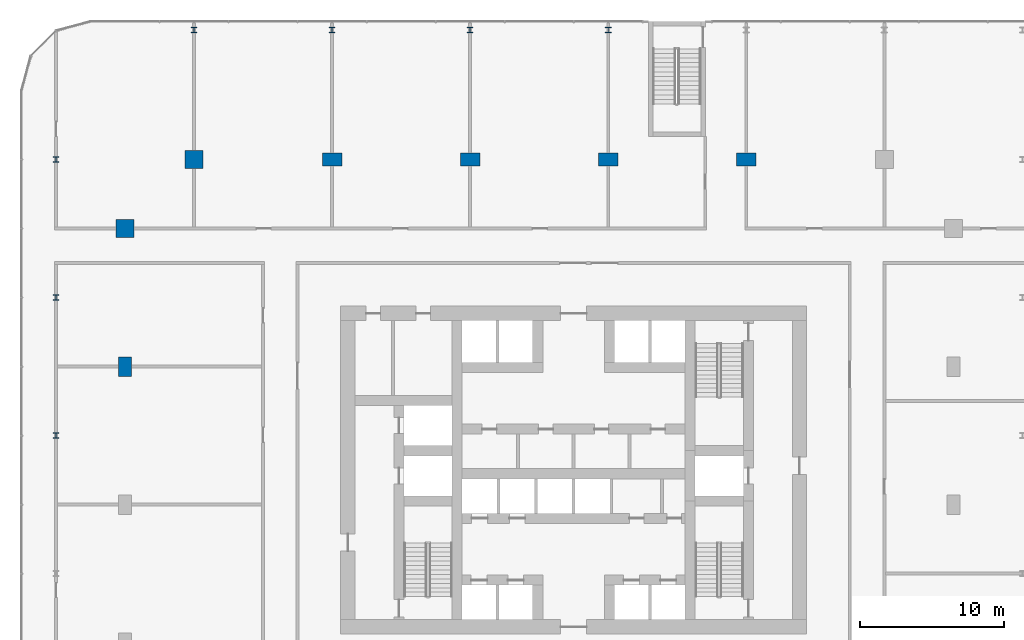
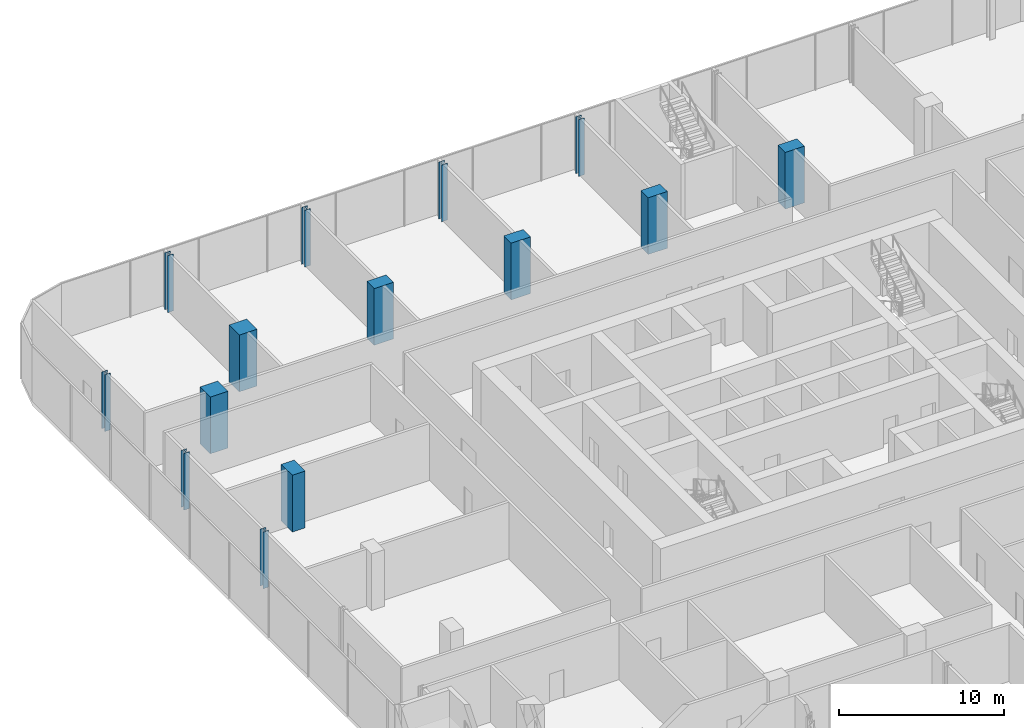
# One storey, part 4 of 43: 14 columns.
"""IFC4 building model written with IfcOpenShell, lengths in metres."""

from ifc_helpers import new_model, si_unit, direction, frame, origin, origin_2d, place, context, subcontext, project, spatial, rectangle, i_section, extrude, material, material_profile, profile_set, type_object, element, save


model = new_model("IFC4")

# Units and contexts
model_context = context("Model", 3, precision=1e-05, world=origin(), true_north=direction((0.0, 1.0)))
body_context = subcontext(model_context, "Body", "Model", "MODEL_VIEW")
ifc_project = project(units=[si_unit("LENGTHUNIT", "METRE"), si_unit("AREAUNIT", "SQUARE_METRE"), si_unit("VOLUMEUNIT", "CUBIC_METRE"), si_unit("PLANEANGLEUNIT", "RADIAN"), si_unit("MASSUNIT", "GRAM", prefix="KILO")], contexts=[model_context])

# Site, building, storey
site_placement = place(None, origin())
site = spatial("IfcSite", under=ifc_project, at=site_placement, CompositionType="ELEMENT")
building_placement = place(site_placement, origin())
building = spatial("IfcBuilding", under=site, at=building_placement, Name="Madar Terraces", CompositionType="ELEMENT")
storey_placement = place(building_placement, frame((0.0, 0.0, 10.5)))
storey = spatial("IfcBuildingStorey", under=building, at=storey_placement, Name="L02", CompositionType="ELEMENT", Elevation=10.5)

# Columns
ifc_material_1 = material(Name="Concrete C80/95", Category="concrete")
ifc_material_profile_1 = material_profile(ifc_material_1, rectangle(XDim=1.35009765625, YDim=0.89990234375, at=origin_2d()), Name="CC1 RC 1350x900")
ifc_profile_set_1 = profile_set([ifc_material_profile_1], Name="Concrete C80/95")
column_type_1 = type_object("IfcColumnType", Name="CC1 RC 1350x900", PredefinedType="COLUMN", material=ifc_profile_set_1)
for number, where, z_axis, x_axis, name in (
    (1, (43.199951171875, 48.0, 0.0), (0.0, 0.0, 1.0), (1.0, 0.0, 0.0), "Perimeter column N2"),
    (2, (33.60009765625, 48.0, 0.0), (0.0, 0.0, 1.0), (1.0, 0.0, 0.0), "Perimeter column N3"),
    (3, (24.0, 48.0, 0.0), (0.0, 0.0, 1.0), (1.0, 0.0, 0.0), "Perimeter column N4"),
    (4, (14.39990234375, 48.0, 0.0), (0.0, 0.0, 1.0), (1.0, 0.0, 0.0), "Perimeter column N5"),
    (5, (0.0, 33.60009765625, 0.0), (0.0, 0.0, 1.0), (0.0, 1.0, 0.0), "Perimeter column W2"),
):
    element("IfcColumn", number, at=place(storey_placement, frame(where, z_axis=z_axis, x_axis=x_axis)), inside=storey, type_object=column_type_1, Name=name, PredefinedType="COLUMN", context=body_context, shape_type="SweptSolid", body=[
        extrude(rectangle(XDim=1.35009765625, YDim=0.89990234375, at=origin_2d()), origin(), (0.0, 0.0, 1.0), 4.199951171875),
    ])
ifc_material_2 = material(Name="Concrete C80/95", Category="concrete")
ifc_material_profile_2 = material_profile(ifc_material_2, rectangle(XDim=1.25, YDim=1.25, at=origin_2d()), Name="KC1 RC 1250x1250")
ifc_profile_set_2 = profile_set([ifc_material_profile_2], Name="Concrete C80/95")
column_type_2 = type_object("IfcColumnType", Name="KC1 RC 1250x1250", PredefinedType="COLUMN", material=ifc_profile_set_2)
for number, where, z_axis, x_axis, name in (
    (6, (4.800048828125, 48.0, 0.0), (0.0, 0.0, 1.0), (1.0, 0.0, 0.0), "Perimeter column N6"),
    (7, (0.0, 43.199951171875, 0.0), (0.0, 0.0, 1.0), (1.0, 0.0, 0.0), "Perimeter column W1"),
):
    element("IfcColumn", number, at=place(storey_placement, frame(where, z_axis=z_axis, x_axis=x_axis)), inside=storey, type_object=column_type_2, Name=name, PredefinedType="COLUMN", context=body_context, shape_type="SweptSolid", body=[
        extrude(rectangle(XDim=1.25, YDim=1.25, at=origin_2d()), origin(), (0.0, 0.0, 1.0), 4.199951171875),
    ])
ifc_material_3 = material(Name="Steel ASTM A992 Grade 50", Category="steel")
ifc_material_profile_3 = material_profile(ifc_material_3, i_section(OverallWidth=0.396240234375, OverallDepth=0.381103515625, WebThickness=0.01904296875, FlangeThickness=0.0302734375, at=origin_2d()), Name="W14x159")
ifc_profile_set_3 = profile_set([ifc_material_profile_3], Name="Steel ASTM A992 Grade 50")
column_type_3 = type_object("IfcColumnType", Name="PC2 W14x159", PredefinedType="COLUMN", material=ifc_profile_set_3)
for number, where, z_axis, x_axis, name in (
    (8, (-4.800048828125, 28.800048828125, 0.0), (0.0, 0.0, 1.0), (1.0, 0.0, 0.0), "Podium column PC2"),
    (9, (-4.800048828125, 38.39990234375, 0.0), (0.0, 0.0, 1.0), (1.0, 0.0, 0.0), "Podium column PC2"),
    (10, (-4.800048828125, 48.0, 0.0), (0.0, 0.0, 1.0), (1.0, 0.0, 0.0), "Podium column PC2"),
    (11, (4.800048828125, 57.0, 0.0), (0.0, 0.0, 1.0), (1.0, 0.0, 0.0), "Podium column PC2"),
    (12, (14.39990234375, 57.0, 0.0), (0.0, 0.0, 1.0), (1.0, 0.0, 0.0), "Podium column PC2"),
    (13, (24.0, 57.0, 0.0), (0.0, 0.0, 1.0), (1.0, 0.0, 0.0), "Podium column PC2"),
    (14, (33.60009765625, 57.0, 0.0), (0.0, 0.0, 1.0), (1.0, 0.0, 0.0), "Podium column PC2"),
):
    element("IfcColumn", number, at=place(storey_placement, frame(where, z_axis=z_axis, x_axis=x_axis)), inside=storey, type_object=column_type_3, Name=name, PredefinedType="COLUMN", context=body_context, shape_type="SweptSolid", body=[
        extrude(i_section(OverallWidth=0.396240234375, OverallDepth=0.381103515625, WebThickness=0.01904296875, FlangeThickness=0.0302734375, at=origin_2d()), origin(), (0.0, 0.0, 1.0), 4.199951171875),
    ])

save(model, "model.ifc")
